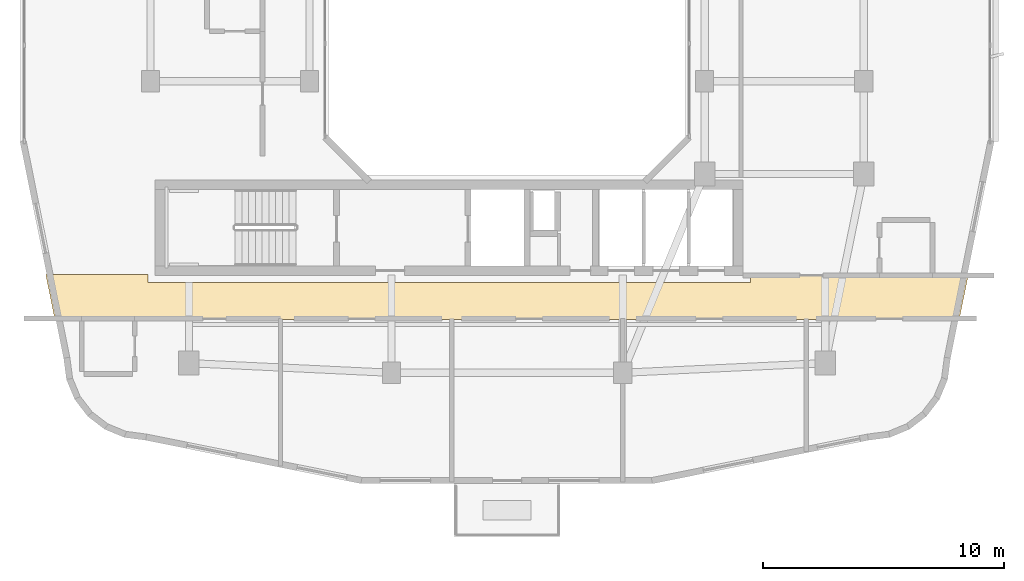
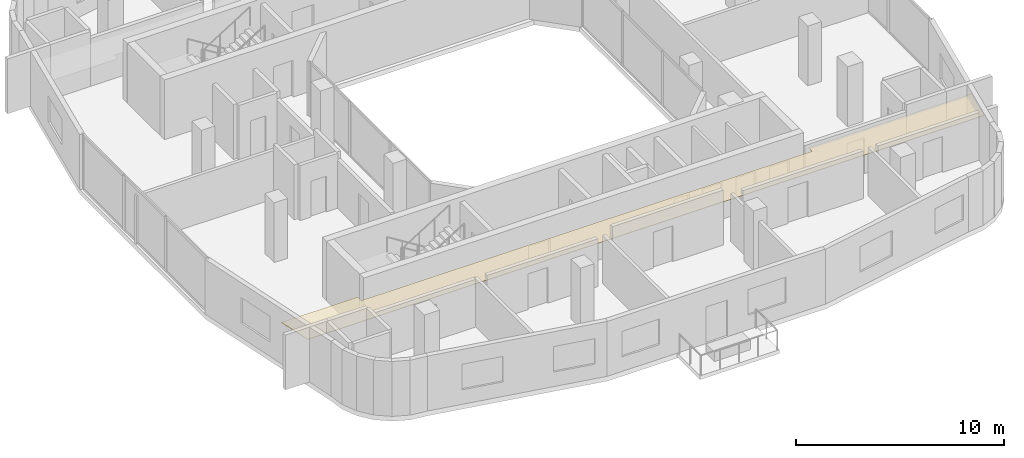
# One storey, part 10 of 12: 1 covering.
"""IFC4 building model written with IfcOpenShell, lengths in metres."""

from ifc_helpers import new_model, si_unit, derived_unit, direction, frame, origin, place, context, subcontext, project, spatial, polyline, outline, extrude, material, layer, layer_set, type_object, element, save


model = new_model("IFC4")

# Units and contexts
model_context = context("Model", 3, precision=1e-05, world=origin(), true_north=direction((0.0, 1.0)))
body_context = subcontext(model_context, "Body", "Model", "MODEL_VIEW")
ifc_project = project(units=[si_unit("LENGTHUNIT", "METRE"), si_unit("AREAUNIT", "SQUARE_METRE"), si_unit("VOLUMEUNIT", "CUBIC_METRE"), si_unit("PLANEANGLEUNIT", "RADIAN"), si_unit("MASSUNIT", "GRAM", prefix="KILO"), derived_unit("THERMALTRANSMITTANCEUNIT", [(si_unit("POWERUNIT", "WATT"), 1), (si_unit("LENGTHUNIT", "METRE"), -2), (si_unit("THERMODYNAMICTEMPERATUREUNIT", "KELVIN"), -1)])], contexts=[model_context])

# Site, building, storey
site_placement = place(None, origin())
site = spatial("IfcSite", under=ifc_project, at=site_placement, CompositionType="ELEMENT")
building_placement = place(site_placement, origin())
building = spatial("IfcBuilding", under=site, at=building_placement, Name="Kivonza Crest Hotel", CompositionType="ELEMENT")
storey_placement = place(building_placement, frame((0.0, 0.0, 166.0)))
storey = spatial("IfcBuildingStorey", under=building, at=storey_placement, Name="L45", CompositionType="ELEMENT", Elevation=166.0)

# Covering
ifc_material = material(Name="Moisture-resistant gypsum plasterboard ceiling", Category="gypsum")
ifc_layer = layer(ifc_material, 0.030029296875)
ifc_layer_set = layer_set([ifc_layer], Name="Moisture-resistant gypsum plasterboard ceiling")
covering_type = type_object("IfcCoveringType", Name="CV-CEIL-GYP", PredefinedType="CEILING", material=ifc_layer_set)
covering_placement = place(storey_placement, frame((0.0, 0.0, 2.449951171875)))
element("IfcCovering", 1, at=covering_placement, inside=storey, type_object=covering_type, Name="L45 Hotel South Guest Corridor suspended ceiling", PredefinedType="CEILING", context=body_context, shape_type="SweptSolid", body=[
    extrude(outline(polyline([(1.85791015625, 13.47998046875), (2.235107421875, 11.610107421875), (39.764892578125, 11.610107421875), (40.14208984375, 13.47998046875), (31.10009765625, 13.47998046875), (31.10009765625, 13.139892578125), (6.10009765625, 13.139892578125), (6.10009765625, 13.47998046875), (1.85791015625, 13.47998046875)])), origin(), (0.0, 0.0, 1.0), 0.030029296875),
])

save(model, "model.ifc")
